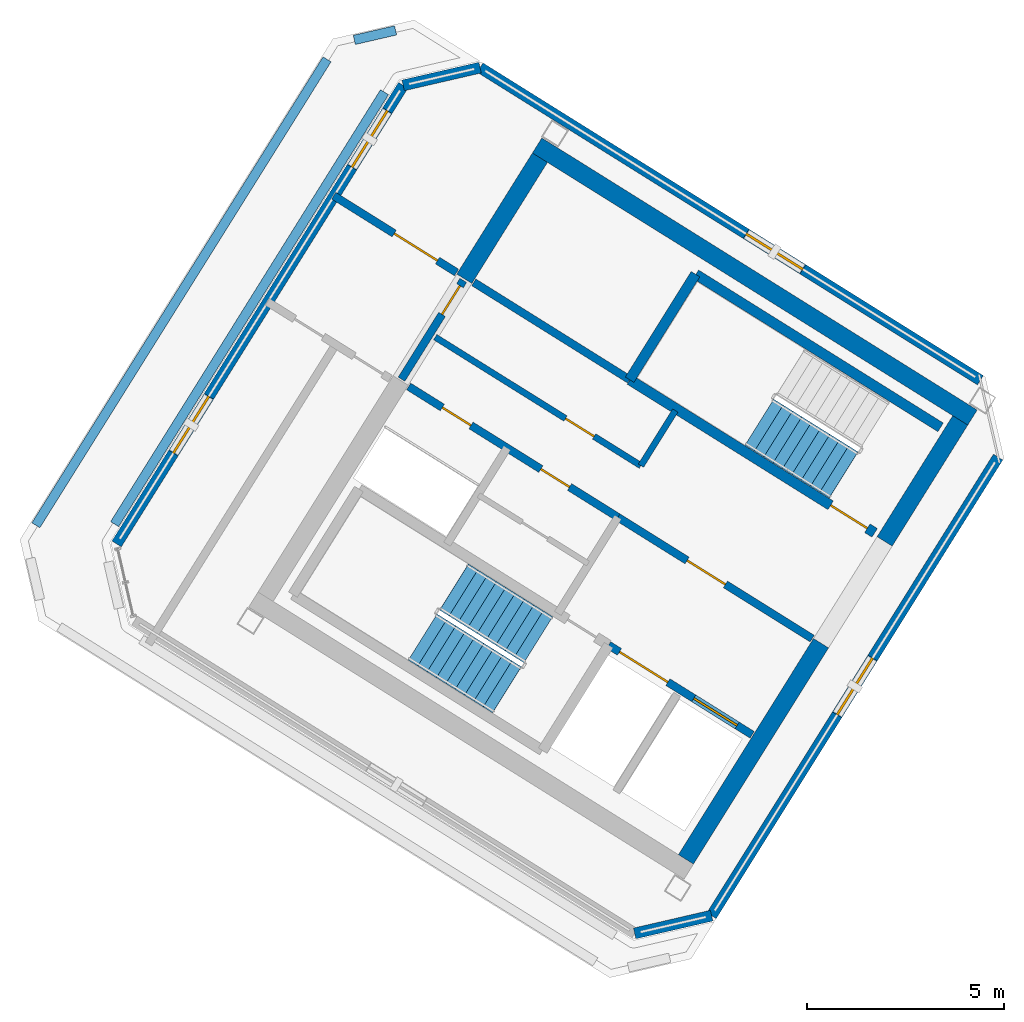
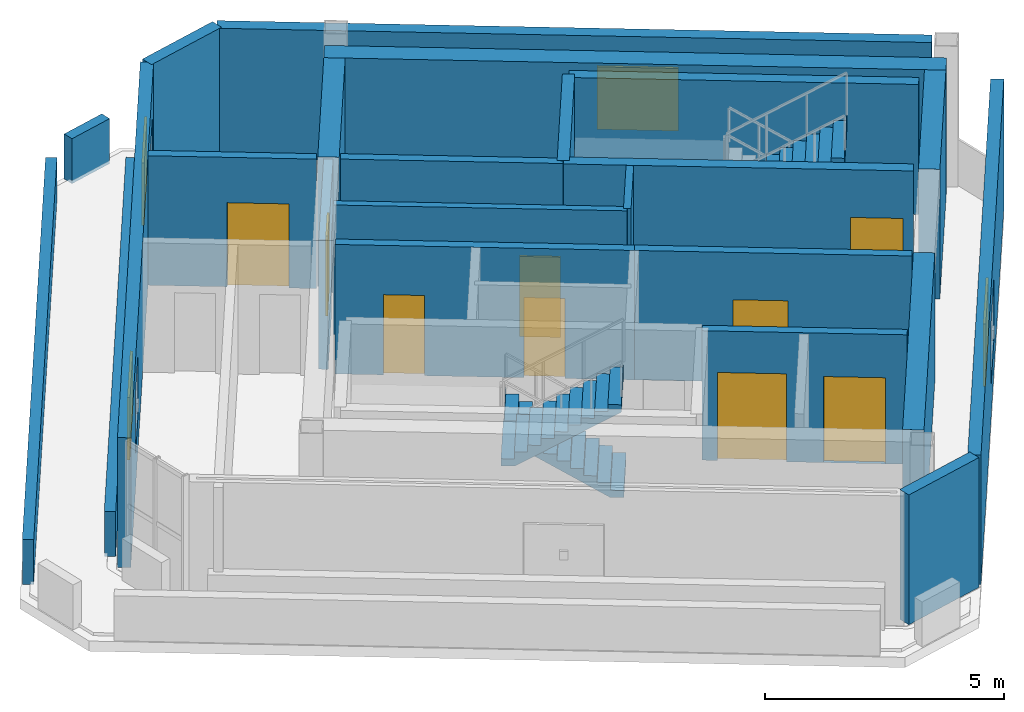
# One storey, part 4 of 6: 23 walls, 9 doors, 4 windows, 3 stair flights, 13 openings, 2 elements without a shape of their own.
"""IFC4 building model written with IfcOpenShell, lengths in metres."""

from ifc_helpers import new_model, si_unit, direction, frame, frame_2d, origin, place, context, subcontext, project, spatial, polyline, rectangle, outline, extrude, source, transform, mapped, material, layer, layer_set, type_object, element, fill, aggregate, save


model = new_model("IFC4")

# Units and contexts
model_context = context("Model", 3, precision=1e-05, world=origin(), true_north=direction((0.0, 1.0)))
body_context = subcontext(model_context, "Body", "Model", "MODEL_VIEW")
ifc_project = project(units=[si_unit("LENGTHUNIT", "METRE"), si_unit("AREAUNIT", "SQUARE_METRE"), si_unit("VOLUMEUNIT", "CUBIC_METRE"), si_unit("PLANEANGLEUNIT", "RADIAN"), si_unit("MASSUNIT", "GRAM", prefix="KILO")], contexts=[model_context])

# Site, building, storey
site_placement = place(None, origin())
site = spatial("IfcSite", under=ifc_project, at=site_placement, CompositionType="ELEMENT")
building_placement = place(site_placement, origin())
building = spatial("IfcBuilding", under=site, at=building_placement, Name="Tlacorven Tower", CompositionType="ELEMENT")
storey_placement = place(building_placement, frame((0.0, 0.0, 313.199951171875)))
storey = spatial("IfcBuildingStorey", under=building, at=storey_placement, Name="L80", CompositionType="ELEMENT", Elevation=313.199951171875)

# Walls
ifc_material_1 = material(Name="Concrete C50/60", Category="concrete")
ifc_layer_1 = layer(ifc_material_1, 0.449951171875)
ifc_layer_set_1 = layer_set([ifc_layer_1], Name="Concrete C50/60")
wall_type_1 = type_object("IfcWallType", Name="WL-COR-450", PredefinedType="SHEAR", material=ifc_layer_set_1)
wall_1_placement = place(storey_placement, frame((40.53076171875, 24.036376953125, 0.0), z_axis=(0.0, 0.0, 1.0), x_axis=(-0.848048787466, 0.529918157905, 0.0)))
element("IfcWall", 1, at=wall_1_placement, inside=storey, type_object=wall_type_1, Name="L80 W core shear wall S1", PredefinedType="SHEAR", context=body_context, shape_type="SweptSolid", body=[
    extrude(rectangle(XDim=13.0400390625, YDim=0.449951171875, at=frame_2d((6.52001953125, 0.0))), origin(), (0.0, 0.0, 1.0), 3.320068359375),
])
wall_2_placement = place(storey_placement, frame((40.220703125, 23.96484375, 0.0), z_axis=(0.0, 0.0, 1.0), x_axis=(-0.529902075036, -0.848058836916, 0.0)))
element("IfcWall", 2, at=wall_2_placement, inside=storey, type_object=wall_type_1, Name="L80 W core end wall E1.1", PredefinedType="SHEAR", context=body_context, shape_type="SweptSolid", body=[
    extrude(rectangle(XDim=3.625, YDim=0.449951171875, at=frame_2d((1.8125, 0.0))), origin(), (0.0, 0.0, 1.0), 3.320068359375),
])
wall_3_placement = place(storey_placement, frame((36.683349609375, 18.30419921875, 0.0), z_axis=(0.0, 0.0, 1.0), x_axis=(-0.529904039071, -0.848057609704, 0.0)))
element("IfcWall", 3, at=wall_3_placement, inside=storey, type_object=wall_type_1, Name="L80 W core end wall E1.2", PredefinedType="SHEAR", context=body_context, shape_type="SweptSolid", body=[
    extrude(rectangle(XDim=6.47509765625, YDim=0.449951171875, at=frame_2d((3.237548828125, 0.0))), origin(), (0.0, 0.0, 1.0), 3.320068359375),
])
wall_4_placement = place(storey_placement, frame((29.543701171875, 30.636474609375, 0.0), z_axis=(0.0, 0.0, 1.0), x_axis=(-0.529902075036, -0.848058836916, 0.0)))
element("IfcWall", 4, at=wall_4_placement, inside=storey, type_object=wall_type_1, Name="L80 W core end wall E2.1", PredefinedType="SHEAR", context=body_context, shape_type="SweptSolid", body=[
    extrude(rectangle(XDim=3.625, YDim=0.449951171875, at=frame_2d((1.8125, 0.0))), origin(), (0.0, 0.0, 1.0), 3.320068359375),
])

# Wall, opening, door
ifc_material_2 = material(Name="Gypsum plasterboard acoustic partition", Category="gypsum")
ifc_layer_2 = layer(ifc_material_2, 0.159912109375)
ifc_layer_set_2 = layer_set([ifc_layer_2], Name="Gypsum plasterboard acoustic partition")
wall_type_2 = type_object("IfcWallType", Name="WL-DEM-160", PredefinedType="PARTITIONING", material=ifc_layer_set_2)
wall_5_placement = place(storey_placement, frame((32.108154296875, 22.81396484375, 0.0), z_axis=(0.0, 0.0, 1.0), x_axis=(-0.848047283855, 0.529920564185, 0.0)))
wall_5 = element("IfcWall", 5, at=wall_5_placement, inside=storey, type_object=wall_type_2, Name="L80 partition 11", PredefinedType="PARTITIONING", context=body_context, shape_type="SweptSolid", body=[
    extrude(rectangle(XDim=6.16015625, YDim=0.159912109375, at=frame_2d((3.080078125, 0.0))), origin(), (0.0, 0.0, 1.0), 3.31005859375),
])
opening_1_placement = place(wall_5_placement, frame((1.39990234375, 0.0, 0.0)))
opening_1 = element("IfcOpeningElement", 6, at=opening_1_placement, cuts=wall_5, Name="Opening D19", PredefinedType="OPENING", context=body_context, shape_type="SweptSolid", body=[
    extrude(rectangle(XDim=0.860107421875, YDim=2.050048828125, at=frame_2d((0.43017578125, 1.02490234375))), frame((0.0, 0.08984375, 0.0), z_axis=(0.0, -1.0, 0.0), x_axis=(1.0, 0.0, 0.0)), (0.0, 0.0, 1.0), 0.179931640625),
])
ifc_material_3 = material(Name="Fire-rated steel door assembly", Category="steel")
door_type_1 = type_object("IfcDoorType", Name="DR-RSR-FD60-0860", OperationType="NOTDEFINED", PredefinedType="DOOR", material=ifc_material_3)
shared_shape_1 = source(origin(), body_context, "Body", "SweptSolid", [
    extrude(rectangle(XDim=0.860107421875, YDim=2.050048828125, at=frame_2d((0.43017578125, 1.02490234375))), frame((0.0, 0.02490234375, 0.0), z_axis=(0.0, -1.0, 0.0), x_axis=(1.0, 0.0, 0.0)), (0.0, 0.0, 1.0), 0.050048828125),
])
door_1_placement = place(opening_1_placement, origin())
door_1 = element("IfcDoor", 7, at=door_1_placement, inside=storey, type_object=door_type_1, Name="L80 Freed Core Store Door", OperationType="SINGLE_SWING_LEFT", OverallHeight=2.050048828125, OverallWidth=0.860107421875, PredefinedType="DOOR", context=body_context, shape_type="MappedRepresentation", body=[
    mapped(shared_shape_1, transform((0.0, 0.0, 0.0), scale=1.0)),
])
fill(opening_1, door_1)

# Wall
wall_6_placement = place(storey_placement, frame((32.982421875, 24.21337890625, 0.0), z_axis=(0.0, 0.0, 1.0), x_axis=(-0.529839334948, -0.84809803628, 0.0)))
element("IfcWall", 8, at=wall_6_placement, inside=storey, type_object=wall_type_2, Name="L80 partition 12", PredefinedType="PARTITIONING", context=body_context, shape_type="SweptSolid", body=[
    extrude(rectangle(XDim=1.650146484375, YDim=0.159912109375, at=frame_2d((0.8251953125, 0.0))), origin(), (0.0, 0.0, 1.0), 3.31005859375),
])

# Wall, opening, window
ifc_material_4 = material(Name="Precast concrete C45/55", Category="concrete")
ifc_layer_3 = layer(ifc_material_4, 0.280029296875)
ifc_layer_set_3 = layer_set([ifc_layer_3], Name="Precast concrete C45/55")
wall_type_3 = type_object("IfcWallType", Name="WL-EXT-280", PredefinedType="STANDARD", material=ifc_layer_set_3)
wall_7_placement = place(storey_placement, frame((41.181640625, 23.03076171875, 0.0), z_axis=(0.0, 0.0, 1.0), x_axis=(-0.5299110544, -0.848053226174, 0.0)))
wall_7 = element("IfcWall", 9, at=wall_7_placement, inside=storey, type_object=wall_type_3, Name="L80 Masonry-Frame Recessed Facade Wall 1", PredefinedType="STANDARD", context=body_context, shape_type="SweptSolid", body=[
    extrude(rectangle(XDim=13.734130859375, YDim=0.280029296875, at=frame_2d((6.8671875, 0.0))), origin(), (0.0, 0.0, 1.0), 3.320068359375),
])
opening_2_placement = place(wall_7_placement, frame((6.01708984375, 0.0, 0.85009765625)))
opening_2 = element("IfcOpeningElement", 10, at=opening_2_placement, cuts=wall_7, Name="Opening WN19", PredefinedType="OPENING", context=body_context, shape_type="SweptSolid", body=[
    extrude(rectangle(XDim=1.699951171875, YDim=1.60009765625, at=frame_2d((0.85009765625, 0.800048828125))), frame((0.0, 0.14990234375, 0.0), z_axis=(0.0, -1.0, 0.0), x_axis=(1.0, 0.0, 0.0)), (0.0, 0.0, 1.0), 0.300048828125),
])
ifc_material_5 = material(Name="Dark solar low-E double glazing in anodised aluminium frame", Category="aluminium")
window_type = type_object("IfcWindowType", Name="WN-CRN-1700X1800", PartitioningType="SINGLE_PANEL", PredefinedType="WINDOW", material=ifc_material_5)
shared_shape_2 = source(origin(), body_context, "Body", "SweptSolid", [
    extrude(rectangle(XDim=1.699951171875, YDim=1.60009765625, at=frame_2d((0.85009765625, 0.800048828125))), frame((0.0, 0.030029296875, 0.0), z_axis=(0.0, -1.0, 0.0), x_axis=(1.0, 0.0, 0.0)), (0.0, 0.0, 1.0), 0.06005859375),
])
window_1_placement = place(opening_2_placement, origin())
window_1 = element("IfcWindow", 11, at=window_1_placement, inside=storey, type_object=window_type, Name="L80 Acoustic Plant Facade Window 1.1", OverallHeight=1.60009765625, OverallWidth=1.699951171875, PartitioningType="SINGLE_PANEL", PredefinedType="WINDOW", context=body_context, shape_type="MappedRepresentation", body=[
    mapped(shared_shape_2, transform((0.0, 0.0, 0.0), scale=1.0)),
])
fill(opening_2, window_1)

# Wall
wall_8_placement = place(storey_placement, frame((33.90380859375, 11.383544921875, 0.0), z_axis=(0.0, 0.0, 1.0), x_axis=(-0.974366569301, -0.224966194411, 0.0)))
element("IfcWall", 12, at=wall_8_placement, inside=storey, type_object=wall_type_3, Name="L80 Masonry-Frame Recessed Facade Wall 2", PredefinedType="STANDARD", context=body_context, shape_type="SweptSolid", body=[
    extrude(rectangle(XDim=2.005615234375, YDim=0.280029296875, at=frame_2d((1.0029296875, 0.0))), origin(), (0.0, 0.0, 1.0), 3.320068359375),
])

# Wall, openings, windows
wall_9_placement = place(storey_placement, frame((18.79150390625, 20.82666015625, 0.0), z_axis=(0.0, 0.0, 1.0), x_axis=(0.5299110544, 0.848053226174, 0.0)))
wall_9 = element("IfcWall", 13, at=wall_9_placement, inside=storey, type_object=wall_type_3, Name="L80 Masonry-Frame Recessed Facade Wall 4", PredefinedType="STANDARD", context=body_context, shape_type="SweptSolid", body=[
    extrude(rectangle(XDim=13.734130859375, YDim=0.280029296875, at=frame_2d((6.8671875, 0.0))), origin(), (0.0, 0.0, 1.0), 3.320068359375),
])
opening_3_placement = place(wall_9_placement, frame((2.720947265625, 0.0, 0.85009765625)))
opening_3 = element("IfcOpeningElement", 14, at=opening_3_placement, cuts=wall_9, Name="Opening WN19", PredefinedType="OPENING", context=body_context, shape_type="SweptSolid", body=[
    extrude(rectangle(XDim=1.699951171875, YDim=1.60009765625, at=frame_2d((0.85009765625, 0.800048828125))), frame((0.0, 0.14990234375, 0.0), z_axis=(0.0, -1.0, 0.0), x_axis=(1.0, 0.0, 0.0)), (0.0, 0.0, 1.0), 0.300048828125),
])
opening_4_placement = place(wall_9_placement, frame((11.278076171875, 0.0, 0.85009765625)))
opening_4 = element("IfcOpeningElement", 15, at=opening_4_placement, cuts=wall_9, Name="Opening WN19", PredefinedType="OPENING", context=body_context, shape_type="SweptSolid", body=[
    extrude(rectangle(XDim=1.699951171875, YDim=1.60009765625, at=frame_2d((0.85009765625, 0.800048828125))), frame((0.0, 0.14990234375, 0.0), z_axis=(0.0, -1.0, 0.0), x_axis=(1.0, 0.0, 0.0)), (0.0, 0.0, 1.0), 0.300048828125),
])
window_2_placement = place(opening_3_placement, origin())
window_2 = element("IfcWindow", 16, at=window_2_placement, inside=storey, type_object=window_type, Name="L80 Acoustic Plant Facade Window 4.1", OverallHeight=1.60009765625, OverallWidth=1.699951171875, PartitioningType="SINGLE_PANEL", PredefinedType="WINDOW", context=body_context, shape_type="MappedRepresentation", body=[
    mapped(shared_shape_2, transform((0.0, 0.0, 0.0), scale=1.0)),
])
fill(opening_3, window_2)
window_3_placement = place(opening_4_placement, origin())
window_3 = element("IfcWindow", 17, at=window_3_placement, inside=storey, type_object=window_type, Name="L80 Acoustic Plant Facade Window 4.2", OverallHeight=1.60009765625, OverallWidth=1.699951171875, PartitioningType="SINGLE_PANEL", PredefinedType="WINDOW", context=body_context, shape_type="MappedRepresentation", body=[
    mapped(shared_shape_2, transform((0.0, 0.0, 0.0), scale=1.0)),
])
fill(opening_4, window_3)

# Wall
wall_10_placement = place(storey_placement, frame((26.0693359375, 32.473876953125, 0.0), z_axis=(0.0, 0.0, 1.0), x_axis=(0.974393247423, 0.224850615691, 0.0)))
element("IfcWall", 18, at=wall_10_placement, inside=storey, type_object=wall_type_3, Name="L80 Masonry-Frame Recessed Facade Wall 5", PredefinedType="STANDARD", context=body_context, shape_type="SweptSolid", body=[
    extrude(rectangle(XDim=2.00537109375, YDim=0.280029296875, at=frame_2d((1.002685546875, 0.0))), origin(), (0.0, 0.0, 1.0), 3.320068359375),
])

# Wall, opening, window
wall_11_placement = place(storey_placement, frame((28.0234375, 32.9248046875, 0.0), z_axis=(0.0, 0.0, 1.0), x_axis=(0.848049560819, -0.529916920276, 0.0)))
wall_11 = element("IfcWall", 19, at=wall_11_placement, inside=storey, type_object=wall_type_3, Name="L80 Masonry-Frame Recessed Facade Wall 6", PredefinedType="STANDARD", context=body_context, shape_type="SweptSolid", body=[
    extrude(rectangle(XDim=14.98388671875, YDim=0.280029296875, at=frame_2d((7.491943359375, 0.0))), origin(), (0.0, 0.0, 1.0), 3.320068359375),
])
opening_5_placement = place(wall_11_placement, frame((7.968017578125, 0.0, 0.85009765625)))
opening_5 = element("IfcOpeningElement", 20, at=opening_5_placement, cuts=wall_11, Name="Opening WN19", PredefinedType="OPENING", context=body_context, shape_type="SweptSolid", body=[
    extrude(rectangle(XDim=1.699951171875, YDim=1.60009765625, at=frame_2d((0.85009765625, 0.800048828125))), frame((0.0, 0.14990234375, 0.0), z_axis=(0.0, -1.0, 0.0), x_axis=(1.0, 0.0, 0.0)), (0.0, 0.0, 1.0), 0.300048828125),
])
window_4_placement = place(opening_5_placement, origin())
window_4 = element("IfcWindow", 21, at=window_4_placement, inside=storey, type_object=window_type, Name="L80 Acoustic Plant Facade Window 6.1", OverallHeight=1.60009765625, OverallWidth=1.699951171875, PartitioningType="SINGLE_PANEL", PredefinedType="WINDOW", context=body_context, shape_type="MappedRepresentation", body=[
    mapped(shared_shape_2, transform((0.0, 0.0, 0.0), scale=1.0)),
])
fill(opening_5, window_4)

# Walls
ifc_layer_4 = layer(ifc_material_4, 0.239990234375)
ifc_layer_set_4 = layer_set([ifc_layer_4], Name="Precast concrete C45/55")
wall_type_4 = type_object("IfcWallType", Name="WL-PAR-240", PredefinedType="PARAPET", material=ifc_layer_set_4)
wall_12_placement = place(storey_placement, frame((16.740478515625, 21.299560546875, 0.0), z_axis=(0.0, 0.0, 1.0), x_axis=(0.529921886516, 0.848046457567, 0.0)))
element("IfcWall", 22, at=wall_12_placement, inside=storey, type_object=wall_type_4, Name="L80 Stepped Crown Terrace Parapet 1 4", PredefinedType="PARAPET", context=body_context, shape_type="SweptSolid", body=[
    extrude(rectangle(XDim=13.955810546875, YDim=0.239990234375, at=frame_2d((6.97802734375, 0.0))), origin(), (0.0, 0.0, 1.0), 1.150146484375),
])
wall_13_placement = place(storey_placement, frame((24.827880859375, 33.62841796875, 0.0), z_axis=(0.0, 0.0, 1.0), x_axis=(0.974383553348, 0.224892620968, 0.0)))
element("IfcWall", 23, at=wall_13_placement, inside=storey, type_object=wall_type_4, Name="L80 Stepped Crown Terrace Parapet 1 5", PredefinedType="PARAPET", context=body_context, shape_type="SweptSolid", body=[
    extrude(rectangle(XDim=1.076904296875, YDim=0.239990234375, at=frame_2d((0.53857421875, 0.0))), origin(), (0.0, 0.0, 1.0), 1.150146484375),
])
wall_14_placement = place(storey_placement, frame((25.595458984375, 32.30029296875, 0.0), z_axis=(0.0, 0.0, 1.0), x_axis=(-0.529919212586, -0.848048128429, 0.0)))
element("IfcWall", 24, at=wall_14_placement, inside=storey, type_object=wall_type_4, Name="L80 Stepped Crown Terrace Parapet 1 6", PredefinedType="PARAPET", context=body_context, shape_type="SweptSolid", body=[
    extrude(rectangle(XDim=12.937255859375, YDim=0.239990234375, at=frame_2d((6.46875, 0.0))), origin(), (0.0, 0.0, 1.0), 1.150146484375),
])

# Wall, openings, doors
ifc_material_6 = material(Name="Concrete C40/50", Category="concrete")
ifc_layer_5 = layer(ifc_material_6, 0.199951171875)
ifc_layer_set_5 = layer_set([ifc_layer_5], Name="Concrete C40/50")
wall_type_5 = type_object("IfcWallType", Name="WL-SHF-200", PredefinedType="STANDARD", material=ifc_layer_set_5)
wall_15_placement = place(storey_placement, frame((34.93310546875, 15.978271484375, 0.0), z_axis=(0.0, 0.0, 1.0), x_axis=(-0.848055739377, 0.529907032327, 0.0)))
wall_15 = element("IfcWall", 25, at=wall_15_placement, inside=storey, type_object=wall_type_5, Name="L80 Core W Firefighting Lift Shaft Front Wall", PredefinedType="STANDARD", context=body_context, shape_type="SweptSolid", body=[
    extrude(rectangle(XDim=4.298095703125, YDim=0.199951171875, at=frame_2d((2.14892578125, 0.0))), origin(), (0.0, 0.0, 1.0), 3.31005859375),
])
opening_6_placement = place(wall_15_placement, frame((0.447998046875, 0.0, 0.0)))
opening_6 = element("IfcOpeningElement", 26, at=opening_6_placement, cuts=wall_15, Name="Opening LD03", PredefinedType="OPENING", context=body_context, shape_type="SweptSolid", body=[
    extrude(rectangle(XDim=1.300048828125, YDim=2.199951171875, at=frame_2d((0.64990234375, 1.10009765625))), frame((0.0, 0.10986328125, 0.0), z_axis=(0.0, -1.0, 0.0), x_axis=(1.0, 0.0, 0.0)), (0.0, 0.0, 1.0), 0.219970703125),
])
opening_7_placement = place(wall_15_placement, frame((2.52294921875, 0.0, 0.0)))
opening_7 = element("IfcOpeningElement", 27, at=opening_7_placement, cuts=wall_15, Name="Opening LD04", PredefinedType="OPENING", context=body_context, shape_type="SweptSolid", body=[
    extrude(rectangle(XDim=1.449951171875, YDim=2.25, at=frame_2d((0.72509765625, 1.125))), frame((0.0, 0.10986328125, 0.0), z_axis=(0.0, -1.0, 0.0), x_axis=(1.0, 0.0, 0.0)), (0.0, 0.0, 1.0), 0.219970703125),
])
door_type_2 = type_object("IfcDoorType", Name="DR-LFT-SLID-1300", OperationType="DOUBLE_DOOR_SLIDING", PredefinedType="DOOR", material=ifc_material_3)
shared_shape_3 = source(origin(), body_context, "Body", "SweptSolid", [
    extrude(rectangle(XDim=1.300048828125, YDim=2.199951171875, at=frame_2d((0.64990234375, 1.10009765625))), frame((0.0, 0.02490234375, 0.0), z_axis=(0.0, -1.0, 0.0), x_axis=(1.0, 0.0, 0.0)), (0.0, 0.0, 1.0), 0.050048828125),
])
door_2_placement = place(opening_6_placement, origin())
door_2 = element("IfcDoor", 28, at=door_2_placement, inside=storey, type_object=door_type_2, Name="L80 Lift FFL-W1 Sliding Landing Door", OperationType="DOUBLE_DOOR_SLIDING", OverallHeight=2.199951171875, OverallWidth=1.300048828125, PredefinedType="DOOR", context=body_context, shape_type="MappedRepresentation", body=[
    mapped(shared_shape_3, transform((0.0, 0.0, 0.0), scale=1.0)),
])
fill(opening_6, door_2)
door_type_3 = type_object("IfcDoorType", Name="DR-LFT-SLID-1450", OperationType="DOUBLE_DOOR_SLIDING", PredefinedType="DOOR", material=ifc_material_3)
shared_shape_4 = source(origin(), body_context, "Body", "SweptSolid", [
    extrude(rectangle(XDim=1.449951171875, YDim=2.25, at=frame_2d((0.72509765625, 1.125))), frame((0.0, 0.02490234375, 0.0), z_axis=(0.0, -1.0, 0.0), x_axis=(1.0, 0.0, 0.0)), (0.0, 0.0, 1.0), 0.050048828125),
])
door_3_placement = place(opening_7_placement, origin())
door_3 = element("IfcDoor", 29, at=door_3_placement, inside=storey, type_object=door_type_3, Name="L80 Lift SVL-W1 Sliding Landing Door", OperationType="DOUBLE_DOOR_SLIDING", OverallHeight=2.25, OverallWidth=1.449951171875, PredefinedType="DOOR", context=body_context, shape_type="MappedRepresentation", body=[
    mapped(shared_shape_4, transform((0.0, 0.0, 0.0), scale=1.0)),
])
fill(opening_7, door_3)

# Wall, opening, door
wall_16_placement = place(storey_placement, frame((36.459228515625, 18.420654296875, 0.0), z_axis=(0.0, 0.0, 1.0), x_axis=(-0.848059591691, 0.529900867089, 0.0)))
wall_16 = element("IfcWall", 30, at=wall_16_placement, inside=storey, type_object=wall_type_5, Name="L80 Core W Smoke Lobby Wall", PredefinedType="STANDARD", context=body_context, shape_type="SweptSolid", body=[
    extrude(rectangle(XDim=5.818115234375, YDim=0.199951171875, at=frame_2d((2.9091796875, 0.0))), origin(), (0.0, 0.0, 1.0), 3.31005859375),
])
opening_8_placement = place(wall_16_placement, frame((2.597900390625, 0.0, 0.0)))
opening_8 = element("IfcOpeningElement", 31, at=opening_8_placement, cuts=wall_16, Name="Opening D09", PredefinedType="OPENING", context=body_context, shape_type="SweptSolid", body=[
    extrude(rectangle(XDim=1.14990234375, YDim=2.10009765625, at=frame_2d((0.574951171875, 1.050048828125))), frame((0.0, 0.10986328125, 0.0), z_axis=(0.0, -1.0, 0.0), x_axis=(1.0, 0.0, 0.0)), (0.0, 0.0, 1.0), 0.219970703125),
])
door_type_4 = type_object("IfcDoorType", Name="DR-FFL-FD60-1150", OperationType="NOTDEFINED", PredefinedType="DOOR", material=ifc_material_3)
shared_shape_5 = source(origin(), body_context, "Body", "SweptSolid", [
    extrude(rectangle(XDim=1.14990234375, YDim=2.10009765625, at=frame_2d((0.574951171875, 1.050048828125))), frame((0.0, 0.02490234375, 0.0), z_axis=(0.0, -1.0, 0.0), x_axis=(1.0, 0.0, 0.0)), (0.0, 0.0, 1.0), 0.050048828125),
])
door_4_placement = place(opening_8_placement, origin())
door_4 = element("IfcDoor", 32, at=door_4_placement, inside=storey, type_object=door_type_4, Name="L80 Firefighting Lobby W Fire Door", OperationType="SINGLE_SWING_LEFT", OverallHeight=2.10009765625, OverallWidth=1.14990234375, PredefinedType="DOOR", context=body_context, shape_type="MappedRepresentation", body=[
    mapped(shared_shape_5, transform((0.0, 0.0, 0.0), scale=1.0)),
])
fill(opening_8, door_4)

# Wall
wall_17_placement = place(storey_placement, frame((31.82177734375, 24.99755859375, 0.0), z_axis=(0.0, 0.0, 1.0), x_axis=(-0.848054125777, 0.529909614701, 0.0)))
element("IfcWall", 33, at=wall_17_placement, inside=storey, type_object=wall_type_5, Name="L80 Core W South Lift Shaft Wall", PredefinedType="STANDARD", context=body_context, shape_type="SweptSolid", body=[
    extrude(rectangle(XDim=4.66796875, YDim=0.199951171875, at=frame_2d((2.333984375, 0.0))), origin(), (0.0, 0.0, 1.0), 3.31005859375),
])

# Wall, openings, doors
wall_18_placement = place(storey_placement, frame((31.525146484375, 21.503662109375, 0.0), z_axis=(0.0, 0.0, 1.0), x_axis=(-0.848042066329, 0.529928913853, 0.0)))
wall_18 = element("IfcWall", 34, at=wall_18_placement, inside=storey, type_object=wall_type_5, Name="L80 Core W North Service Wall", PredefinedType="STANDARD", context=body_context, shape_type="SweptSolid", body=[
    extrude(rectangle(XDim=6.267822265625, YDim=0.199951171875, at=frame_2d((3.1337890625, 0.0))), origin(), (0.0, 0.0, 1.0), 3.31005859375),
])
opening_9_placement = place(wall_18_placement, frame((4.39990234375, 0.0, 0.0)))
opening_9 = element("IfcOpeningElement", 35, at=opening_9_placement, cuts=wall_18, Name="Opening D19", PredefinedType="OPENING", context=body_context, shape_type="SweptSolid", body=[
    extrude(rectangle(XDim=0.860107421875, YDim=2.050048828125, at=frame_2d((0.43017578125, 1.02490234375))), frame((0.0, 0.10986328125, 0.0), z_axis=(0.0, -1.0, 0.0), x_axis=(1.0, 0.0, 0.0)), (0.0, 0.0, 1.0), 0.219970703125),
])
opening_10_placement = place(wall_18_placement, frame((1.449951171875, 0.0, 0.0)))
opening_10 = element("IfcOpeningElement", 36, at=opening_10_placement, cuts=wall_18, Name="Opening D19", PredefinedType="OPENING", context=body_context, shape_type="SweptSolid", body=[
    extrude(rectangle(XDim=0.860107421875, YDim=2.050048828125, at=frame_2d((0.43017578125, 1.02490234375))), frame((0.0, 0.10986328125, 0.0), z_axis=(0.0, -1.0, 0.0), x_axis=(1.0, 0.0, 0.0)), (0.0, 0.0, 1.0), 0.219970703125),
])
door_5_placement = place(opening_9_placement, frame((0.860107421875, 0.0, 0.0), z_axis=(0.0, 0.0, 1.0), x_axis=(-1.0, 0.0, 0.0)))
door_5 = element("IfcDoor", 37, at=door_5_placement, inside=storey, type_object=door_type_1, Name="L80 Electrical Riser Access Door W", OperationType="SINGLE_SWING_RIGHT", OverallHeight=2.050048828125, OverallWidth=0.860107421875, PredefinedType="DOOR", context=body_context, shape_type="MappedRepresentation", body=[
    mapped(shared_shape_1, transform((0.0, 0.0, 0.0), scale=1.0)),
])
fill(opening_9, door_5)
door_6_placement = place(opening_10_placement, frame((0.860107421875, 0.0, 0.0), z_axis=(0.0, 0.0, 1.0), x_axis=(-1.0, 0.0, 0.0)))
door_6 = element("IfcDoor", 38, at=door_6_placement, inside=storey, type_object=door_type_1, Name="L80 Cleaner Store Access Door W", OperationType="SINGLE_SWING_LEFT", OverallHeight=2.050048828125, OverallWidth=0.860107421875, PredefinedType="DOOR", context=body_context, shape_type="MappedRepresentation", body=[
    mapped(shared_shape_1, transform((0.0, 0.0, 0.0), scale=1.0)),
])
fill(opening_10, door_6)

# Wall, opening, door
wall_19_placement = place(storey_placement, frame((27.59619140625, 27.52001953125, 0.0), z_axis=(0.0, 0.0, 1.0), x_axis=(-0.529865479138, -0.848081702443, 0.0)))
wall_19 = element("IfcWall", 39, at=wall_19_placement, inside=storey, type_object=wall_type_5, Name="L80 partition 18", PredefinedType="STANDARD", context=body_context, shape_type="SweptSolid", body=[
    extrude(rectangle(XDim=2.9599609375, YDim=0.199951171875, at=frame_2d((1.47998046875, 0.0))), origin(), (0.0, 0.0, 1.0), 3.31005859375),
])
opening_11_placement = place(wall_19_placement, frame((0.159912109375, 0.0, 0.0)))
opening_11 = element("IfcOpeningElement", 40, at=opening_11_placement, cuts=wall_19, Name="Opening D19", PredefinedType="OPENING", context=body_context, shape_type="SweptSolid", body=[
    extrude(rectangle(XDim=0.860107421875, YDim=2.050048828125, at=frame_2d((0.43017578125, 1.02490234375))), frame((0.0, 0.10986328125, 0.0), z_axis=(0.0, -1.0, 0.0), x_axis=(1.0, 0.0, 0.0)), (0.0, 0.0, 1.0), 0.219970703125),
])
door_7_placement = place(opening_11_placement, origin())
door_7 = element("IfcDoor", 41, at=door_7_placement, inside=storey, type_object=door_type_1, Name="L80 door 010", OperationType="SINGLE_SWING_LEFT", OverallHeight=2.050048828125, OverallWidth=0.860107421875, PredefinedType="DOOR", context=body_context, shape_type="MappedRepresentation", body=[
    mapped(shared_shape_1, transform((0.0, 0.0, 0.0), scale=1.0)),
])
fill(opening_11, door_7)

wall_20_placement = place(storey_placement, frame((27.425048828125, 27.721435546875, 0.0), z_axis=(0.0, 0.0, 1.0), x_axis=(-0.848057965138, 0.529903470233, 0.0)))
wall_20 = element("IfcWall", 42, at=wall_20_placement, inside=storey, type_object=wall_type_5, Name="L80 partition 21", PredefinedType="STANDARD", context=body_context, shape_type="SweptSolid", body=[
    extrude(rectangle(XDim=3.677978515625, YDim=0.199951171875, at=frame_2d((1.8388671875, 0.0))), origin(), (0.0, 0.0, 1.0), 3.31005859375),
])
opening_12_placement = place(wall_20_placement, frame((0.568115234375, 0.0, 0.0)))
opening_12 = element("IfcOpeningElement", 43, at=opening_12_placement, cuts=wall_20, Name="Opening D18", PredefinedType="OPENING", context=body_context, shape_type="SweptSolid", body=[
    extrude(rectangle(XDim=1.300048828125, YDim=2.14990234375, at=frame_2d((0.64990234375, 1.074951171875))), frame((0.0, 0.10986328125, 0.0), z_axis=(0.0, -1.0, 0.0), x_axis=(1.0, 0.0, 0.0)), (0.0, 0.0, 1.0), 0.219970703125),
])
door_type_5 = type_object("IfcDoorType", Name="DR-MEP-FD60-1300", OperationType="DOUBLE_DOOR_SINGLE_SWING", PredefinedType="DOOR", material=ifc_material_3)
shared_shape_6 = source(origin(), body_context, "Body", "SweptSolid", [
    extrude(rectangle(XDim=1.300048828125, YDim=2.14990234375, at=frame_2d((0.64990234375, 1.074951171875))), frame((0.0, 0.02490234375, 0.0), z_axis=(0.0, -1.0, 0.0), x_axis=(1.0, 0.0, 0.0)), (0.0, 0.0, 1.0), 0.050048828125),
])
door_8_placement = place(opening_12_placement, frame((1.300048828125, 0.0, 0.0), z_axis=(0.0, 0.0, 1.0), x_axis=(-1.0, 0.0, 0.0)))
door_8 = element("IfcDoor", 44, at=door_8_placement, inside=storey, type_object=door_type_5, Name="L80 door 013", OperationType="DOUBLE_DOOR_SINGLE_SWING", OverallHeight=2.14990234375, OverallWidth=1.300048828125, PredefinedType="DOOR", context=body_context, shape_type="MappedRepresentation", body=[
    mapped(shared_shape_6, transform((0.0, 0.0, 0.0), scale=1.0)),
])
fill(opening_12, door_8)

# Wall
ifc_layer_6 = layer(ifc_material_1, 0.260009765625)
ifc_layer_set_6 = layer_set([ifc_layer_6], Name="Concrete C50/60")
wall_type_6 = type_object("IfcWallType", Name="WL-STW-260", PredefinedType="SHEAR", material=ifc_layer_set_6)
wall_21_placement = place(storey_placement, frame((39.720947265625, 23.787841796875, 0.0), z_axis=(0.0, 0.0, 1.0), x_axis=(-0.848054434086, 0.529909121291, 0.0)))
element("IfcWall", 45, at=wall_21_placement, inside=storey, type_object=wall_type_6, Name="L80 Stair W2 Far Shear Wall", PredefinedType="SHEAR", context=body_context, shape_type="SweptSolid", body=[
    extrude(rectangle(XDim=7.330078125, YDim=0.260009765625, at=frame_2d((3.6650390625, 0.0))), origin(), (0.0, 0.0, 1.0), 3.320068359375),
])

# Wall, opening, door
wall_22_placement = place(storey_placement, frame((38.04638671875, 21.10791015625, 0.0), z_axis=(0.0, 0.0, 1.0), x_axis=(-0.848054434086, 0.529909121291, 0.0)))
wall_22 = element("IfcWall", 46, at=wall_22_placement, inside=storey, type_object=wall_type_6, Name="L80 Stair W2 Lobby Shear Wall", PredefinedType="SHEAR", context=body_context, shape_type="SweptSolid", body=[
    extrude(rectangle(XDim=7.330078125, YDim=0.260009765625, at=frame_2d((3.6650390625, 0.0))), origin(), (0.0, 0.0, 1.0), 3.320068359375),
])
opening_13_placement = place(wall_22_placement, frame((0.219970703125, 0.0, 0.0)))
opening_13 = element("IfcOpeningElement", 47, at=opening_13_placement, cuts=wall_22, Name="Opening D07", PredefinedType="OPENING", context=body_context, shape_type="SweptSolid", body=[
    extrude(rectangle(XDim=1.10009765625, YDim=2.10009765625, at=frame_2d((0.550048828125, 1.050048828125))), frame((0.0, 0.14013671875, 0.0), z_axis=(0.0, -1.0, 0.0), x_axis=(1.0, 0.0, 0.0)), (0.0, 0.0, 1.0), 0.280029296875),
])
door_type_6 = type_object("IfcDoorType", Name="DR-STR-FD90-1100", OperationType="NOTDEFINED", PredefinedType="DOOR", material=ifc_material_3)
shared_shape_7 = source(origin(), body_context, "Body", "SweptSolid", [
    extrude(rectangle(XDim=1.10009765625, YDim=2.10009765625, at=frame_2d((0.550048828125, 1.050048828125))), frame((0.0, 0.02490234375, 0.0), z_axis=(0.0, -1.0, 0.0), x_axis=(1.0, 0.0, 0.0)), (0.0, 0.0, 1.0), 0.050048828125),
])
door_9_placement = place(opening_13_placement, origin())
door_9 = element("IfcDoor", 48, at=door_9_placement, inside=storey, type_object=door_type_6, Name="L80 Exit Stair W2 Fire Door", OperationType="SINGLE_SWING_RIGHT", OverallHeight=2.10009765625, OverallWidth=1.10009765625, PredefinedType="DOOR", context=body_context, shape_type="MappedRepresentation", body=[
    mapped(shared_shape_7, transform((0.0, 0.0, 0.0), scale=1.0)),
])
fill(opening_13, door_9)

# Wall
wall_23_placement = place(storey_placement, frame((33.496337890625, 27.677490234375, 0.0), z_axis=(0.0, 0.0, 1.0), x_axis=(-0.529908658664, -0.84805472316, 0.0)))
element("IfcWall", 49, at=wall_23_placement, inside=storey, type_object=wall_type_6, Name="L80 Stair W2 East Shear Wall", PredefinedType="SHEAR", context=body_context, shape_type="SweptSolid", body=[
    extrude(rectangle(XDim=3.16015625, YDim=0.260009765625, at=frame_2d((1.580078125, 0.0))), origin(), (0.0, 0.0, 1.0), 3.320068359375),
])

# Stair, stair flights
stair_type = type_object("IfcStairType", Name="ST-CORE-DLG", PredefinedType="HALF_TURN_STAIR", material=ifc_material_6)
stair_1_placement = place(storey_placement, origin())
stair_1 = element("IfcStair", 50, at=stair_1_placement, inside=storey, type_object=stair_type, Name="L80 Protected Exit Stair West 1", PredefinedType="HALF_TURN_STAIR")
stair_flight_type = type_object("IfcStairFlightType", Name="SFL-RC-1380", PredefinedType="STRAIGHT", material=ifc_material_6)
shared_shape_8 = source(origin(), body_context, "Body", "SweptSolid", [
    extrude(outline(polyline([(-0.0029296875, -0.0029296875), (-0.0029296875, 0.179931640625), (0.280029296875, 0.179931640625), (0.280029296875, 0.360107421875), (0.56005859375, 0.360107421875), (0.56005859375, 0.5400390625), (0.840087890625, 0.5400390625), (0.840087890625, 0.719970703125), (1.1201171875, 0.719970703125), (1.1201171875, 0.89990234375), (1.39990234375, 0.89990234375), (1.39990234375, 1.080078125), (1.679931640625, 1.080078125), (1.679931640625, 1.260009765625), (1.9599609375, 1.260009765625), (1.9599609375, 1.43994140625), (2.239990234375, 1.43994140625), (2.239990234375, 1.6201171875), (2.52001953125, 1.6201171875), (2.52001953125, 1.800048828125), (2.52294921875, 1.800048828125), (2.52294921875, 1.429931640625), (2.52001953125, 1.429931640625), (0.295654296875, 0.0), (0.295654296875, -0.0029296875), (-0.0029296875, -0.0029296875)])), frame((0.0, 0.68994140625, 0.0), z_axis=(0.0, -1.0, 0.0), x_axis=(1.0, 0.0, 0.0)), (0.0, 0.0, 1.0), 1.3798828125),
])
stair_flight_1_placement = place(storey_placement, frame((29.499755859375, 18.39453125, 0.0), z_axis=(0.0, 0.0, 1.0), x_axis=(-0.848048096156, 0.529919264233, 0.0)))
stair_flight_1 = element("IfcStairFlight", 51, at=stair_flight_1_placement, type_object=stair_flight_type, Name="ST-W1 flight 1", NumberOfRisers=10, NumberOfTreads=9, PredefinedType="STRAIGHT", RiserHeight=0.18, TreadLength=0.28, context=body_context, shape_type="MappedRepresentation", body=[
    mapped(shared_shape_8, transform((0.0, 0.0, 0.0), scale=1.0)),
])
stair_flight_2_placement = place(storey_placement, frame((26.56787109375, 18.4580078125, 1.800048828125), z_axis=(0.0, 0.0, 1.0), x_axis=(0.848048096156, -0.529919264233, 0.0)))
stair_flight_2 = element("IfcStairFlight", 52, at=stair_flight_2_placement, type_object=stair_flight_type, Name="ST-W1 flight 2", NumberOfRisers=10, NumberOfTreads=9, PredefinedType="STRAIGHT", RiserHeight=0.18, TreadLength=0.28, context=body_context, shape_type="MappedRepresentation", body=[
    mapped(shared_shape_8, transform((0.0, 0.0, 0.0), scale=1.0)),
])
aggregate(stair_1, [stair_flight_1, stair_flight_2])

# Stair, stair flight
stair_2_placement = place(storey_placement, origin())
stair_2 = element("IfcStair", 53, at=stair_2_placement, inside=storey, type_object=stair_type, Name="L80 Protected Exit Stair West 2", PredefinedType="HALF_TURN_STAIR")
stair_flight_3_placement = place(storey_placement, frame((35.119384765625, 23.91552734375, 1.800048828125), z_axis=(0.0, 0.0, 1.0), x_axis=(0.848048096156, -0.529919264233, 0.0)))
stair_flight_3 = element("IfcStairFlight", 54, at=stair_flight_3_placement, type_object=stair_flight_type, Name="ST-W2 flight 2", NumberOfRisers=10, NumberOfTreads=9, PredefinedType="STRAIGHT", RiserHeight=0.18, TreadLength=0.28, context=body_context, shape_type="MappedRepresentation", body=[
    mapped(shared_shape_8, transform((0.0, 0.0, 0.0), scale=1.0)),
])
aggregate(stair_2, [stair_flight_3])

save(model, "model.ifc")
